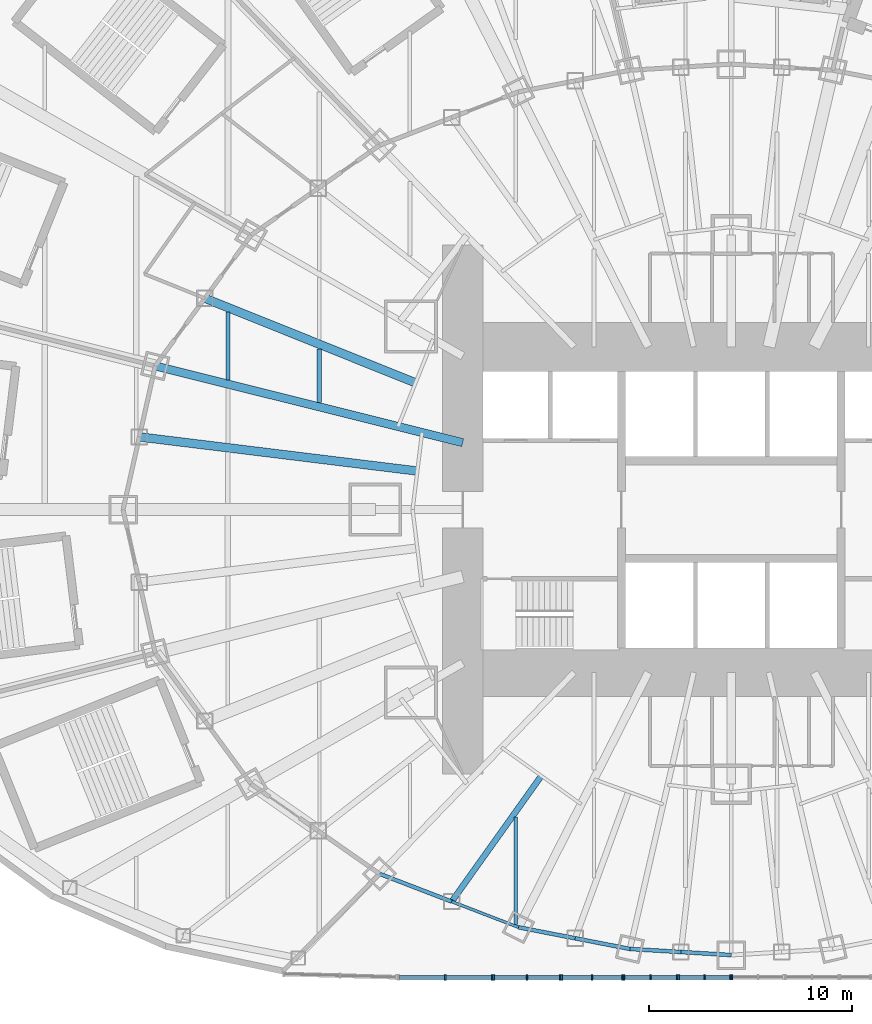
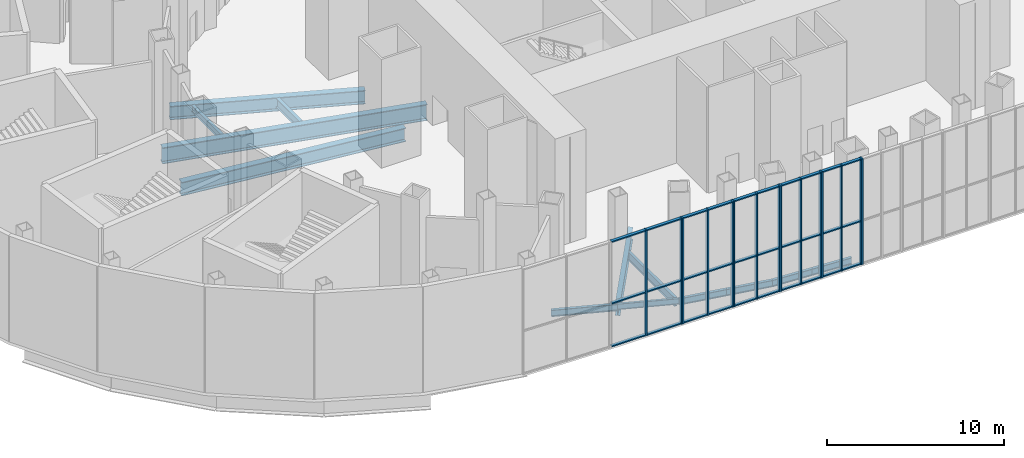
# One storey, part 3 of 73: 45 members, 13 beams, 6 elements without a shape of their own.
"""IFC4 building model written with IfcOpenShell, lengths in metres."""

from ifc_helpers import new_model, si_unit, direction, frame, origin, origin_2d, place, context, subcontext, project, spatial, rectangle, i_section, extrude, material, material_profile, profile_set, type_object, element, aggregate, save


model = new_model("IFC4")

# Units and contexts
model_context = context("Model", 3, precision=1e-05, world=origin(), true_north=direction((0.0, 1.0)))
body_context = subcontext(model_context, "Body", "Model", "MODEL_VIEW")
ifc_project = project(units=[si_unit("LENGTHUNIT", "METRE"), si_unit("AREAUNIT", "SQUARE_METRE"), si_unit("VOLUMEUNIT", "CUBIC_METRE"), si_unit("PLANEANGLEUNIT", "RADIAN"), si_unit("MASSUNIT", "GRAM", prefix="KILO")], contexts=[model_context])

# Site, building, storey
site_placement = place(None, origin())
site = spatial("IfcSite", under=ifc_project, at=site_placement, CompositionType="ELEMENT")
building_placement = place(site_placement, origin())
building = spatial("IfcBuilding", under=site, at=building_placement, Name="Lantaw Convention Tower", CompositionType="ELEMENT")
storey_placement = place(building_placement, frame((0.0, 0.0, 14.5)))
storey = spatial("IfcBuildingStorey", under=building, at=storey_placement, Name="L02", CompositionType="ELEMENT", Elevation=14.5)

# Beams
ifc_material_1 = material(Name="Steel ASTM A992", Category="steel")
ifc_material_profile_1 = material_profile(ifc_material_1, i_section(OverallWidth=0.140380859375, OverallDepth=0.40380859375, WebThickness=0.007080078125, FlangeThickness=0.01123046875, FilletRadius=0.01025390625, at=origin_2d()), Name="W16X31")
ifc_profile_set_1 = profile_set([ifc_material_profile_1], Name="Steel ASTM A992")
beam_type_1 = type_object("IfcBeamType", Name="Beam E W16X31", PredefinedType="SPANDREL", material=ifc_profile_set_1)
beam_1_placement = place(storey_placement, frame((-13.745361328125, -19.270263671875, -0.40185546875), z_axis=(0.933241815012, -0.359248820058, 0.0), x_axis=(0.359248820058, 0.933241815012, 0.0)))
element("IfcBeam", 1, at=beam_1_placement, inside=storey, type_object=beam_type_1, Name="Edge beam 16", PredefinedType="SPANDREL", context=body_context, shape_type="SweptSolid", body=[
    extrude(i_section(OverallWidth=0.140380859375, OverallDepth=0.40380859375, WebThickness=0.007080078125, FlangeThickness=0.01123046875, FilletRadius=0.01025390625, at=origin_2d()), origin(), (0.0, 0.0, 1.0), 3.517578125),
])
ifc_material_profile_2 = material_profile(ifc_material_1, i_section(OverallWidth=0.1904296875, OverallDepth=0.457275390625, WebThickness=0.009033203125, FlangeThickness=0.014404296875, FilletRadius=0.01025390625, at=origin_2d()), Name="W18X50")
ifc_profile_set_2 = profile_set([ifc_material_profile_2], Name="Steel ASTM A992")
beam_type_2 = type_object("IfcBeamType", Name="Beam E W18X50", PredefinedType="SPANDREL", material=ifc_profile_set_2)
beam_2_placement = place(storey_placement, frame((-17.290771484375, -17.9052734375, -0.4287109375), z_axis=(0.933224646415, -0.359293416754, 0.0), x_axis=(0.359293416754, 0.933224646415, 0.0)))
element("IfcBeam", 2, at=beam_2_placement, inside=storey, type_object=beam_type_2, Name="Edge beam 16", PredefinedType="SPANDREL", context=body_context, shape_type="SweptSolid", body=[
    extrude(i_section(OverallWidth=0.1904296875, OverallDepth=0.457275390625, WebThickness=0.009033203125, FlangeThickness=0.014404296875, FilletRadius=0.01025390625, at=origin_2d()), origin(), (0.0, 0.0, 1.0), 3.799072265625),
])
beam_3_placement = place(storey_placement, frame((-10.462646484375, -20.533935546875, -0.4287109375), z_axis=(0.98163593748, -0.190763954266, 0.0), x_axis=(0.190763954266, 0.98163593748, 0.0)))
element("IfcBeam", 3, at=beam_3_placement, inside=storey, type_object=beam_type_2, Name="Edge beam 17", PredefinedType="SPANDREL", context=body_context, shape_type="SweptSolid", body=[
    extrude(i_section(OverallWidth=0.1904296875, OverallDepth=0.457275390625, WebThickness=0.009033203125, FlangeThickness=0.014404296875, FilletRadius=0.01025390625, at=origin_2d()), origin(), (0.0, 0.0, 1.0), 2.84375),
])
beam_4_placement = place(storey_placement, frame((-7.671142578125, -21.076416015625, -0.4287109375), z_axis=(0.981637218105, -0.190757364289, 0.0), x_axis=(0.190757364289, 0.981637218105, 0.0)))
element("IfcBeam", 4, at=beam_4_placement, inside=storey, type_object=beam_type_2, Name="Edge beam 17", PredefinedType="SPANDREL", context=body_context, shape_type="SweptSolid", body=[
    extrude(i_section(OverallWidth=0.1904296875, OverallDepth=0.457275390625, WebThickness=0.009033203125, FlangeThickness=0.014404296875, FilletRadius=0.01025390625, at=origin_2d()), origin(), (0.0, 0.0, 1.0), 2.735107421875),
])
beam_5_placement = place(storey_placement, frame((-4.986328125, -21.59814453125, -0.4287109375), z_axis=(0.998172405641, -0.060430527186, 0.0), x_axis=(0.060430527186, 0.998172405641, 0.0)))
element("IfcBeam", 5, at=beam_5_placement, inside=storey, type_object=beam_type_2, Name="Edge beam 18", PredefinedType="SPANDREL", context=body_context, shape_type="SweptSolid", body=[
    extrude(i_section(OverallWidth=0.1904296875, OverallDepth=0.457275390625, WebThickness=0.009033203125, FlangeThickness=0.014404296875, FilletRadius=0.01025390625, at=origin_2d()), origin(), (0.0, 0.0, 1.0), 2.512939453125),
])
beam_6_placement = place(storey_placement, frame((-2.47802734375, -21.75, -0.4287109375), z_axis=(0.998175328335, -0.060382231685, 0.0), x_axis=(0.060382231685, 0.998175328335, 0.0)))
element("IfcBeam", 6, at=beam_6_placement, inside=storey, type_object=beam_type_2, Name="Edge beam 18", PredefinedType="SPANDREL", context=body_context, shape_type="SweptSolid", body=[
    extrude(i_section(OverallWidth=0.1904296875, OverallDepth=0.457275390625, WebThickness=0.009033203125, FlangeThickness=0.014404296875, FilletRadius=0.01025390625, at=origin_2d()), origin(), (0.0, 0.0, 1.0), 2.482666015625),
])
ifc_material_profile_3 = material_profile(ifc_material_1, i_section(OverallWidth=0.2919921875, OverallDepth=0.845703125, WebThickness=0.015380859375, FlangeThickness=0.0244140625, FilletRadius=0.01513671875, at=origin_2d()), Name="W33X141")
ifc_profile_set_3 = profile_set([ifc_material_profile_3], Name="Steel ASTM A992")
beam_type_3 = type_object("IfcBeamType", Name="Beam G W33X141", PredefinedType="BEAM", material=ifc_profile_set_3)
beam_7_placement = place(storey_placement, frame((-9.335693359375, -13.088134765625, -0.622802734375), z_axis=(-0.580702805158, -0.814115625745, 0.0), x_axis=(0.814115625745, -0.580702805158, 0.0)))
element("IfcBeam", 7, at=beam_7_placement, inside=storey, type_object=beam_type_3, Name="Floor girder on bisector 16", PredefinedType="BEAM", context=body_context, shape_type="SweptSolid", body=[
    extrude(i_section(OverallWidth=0.2919921875, OverallDepth=0.845703125, WebThickness=0.015380859375, FlangeThickness=0.0244140625, FilletRadius=0.01513671875, at=origin_2d()), origin(), (0.0, 0.0, 1.0), 7.59375),
])
ifc_material_profile_4 = material_profile(ifc_material_1, i_section(OverallWidth=0.421630859375, OverallDepth=0.937255859375, WebThickness=0.0224609375, FlangeThickness=0.039794921875, FilletRadius=0.02001953125, at=origin_2d()), Name="W36X282")
ifc_profile_set_4 = profile_set([ifc_material_profile_4], Name="Steel ASTM A992")
beam_type_4 = type_object("IfcBeamType", Name="Beam G W36X282", PredefinedType="BEAM", material=ifc_profile_set_4)
beam_8_placement = place(storey_placement, frame((-15.52001953125, 6.23046875, -0.668701171875), z_axis=(-0.928018900171, 0.372533113864, 0.0), x_axis=(-0.372533113864, -0.928018900171, 0.0)))
element("IfcBeam", 8, at=beam_8_placement, inside=storey, type_object=beam_type_4, Name="Floor girder on bisector 11", PredefinedType="BEAM", context=body_context, shape_type="SweptSolid", body=[
    extrude(i_section(OverallWidth=0.421630859375, OverallDepth=0.937255859375, WebThickness=0.0224609375, FlangeThickness=0.039794921875, FilletRadius=0.02001953125, at=origin_2d()), origin(), (0.0, 0.0, 1.0), 11.161376953125),
])
beam_9_placement = place(storey_placement, frame((-15.433349609375, 1.89501953125, -0.668701171875), z_axis=(-0.99254612715, 0.121869542874, 0.0), x_axis=(-0.121869542874, -0.99254612715, 0.0)))
element("IfcBeam", 9, at=beam_9_placement, inside=storey, type_object=beam_type_4, Name="Floor girder on bisector 12", PredefinedType="BEAM", context=body_context, shape_type="SweptSolid", body=[
    extrude(i_section(OverallWidth=0.421630859375, OverallDepth=0.937255859375, WebThickness=0.0224609375, FlangeThickness=0.039794921875, FilletRadius=0.02001953125, at=origin_2d()), origin(), (0.0, 0.0, 1.0), 13.7685546875),
])
ifc_material_profile_5 = material_profile(ifc_material_1, i_section(OverallWidth=0.40380859375, OverallDepth=1.11767578125, WebThickness=0.026123046875, FlangeThickness=0.044921875, FilletRadius=0.02001953125, at=origin_2d()), Name="W44X335")
ifc_profile_set_5 = profile_set([ifc_material_profile_5], Name="Steel ASTM A992")
beam_type_5 = type_object("IfcBeamType", Name="Beam G W44X335", PredefinedType="BEAM", material=ifc_profile_set_5)
beam_10_placement = place(storey_placement, frame((-13.199951171875, 3.291015625, -0.7587890625), z_axis=(-0.970296233567, 0.241919860957, 0.0), x_axis=(-0.241919860957, -0.970296233567, 0.0)))
element("IfcBeam", 10, at=beam_10_placement, inside=storey, type_object=beam_type_5, Name="Floor girder on ray 12", PredefinedType="BEAM", context=body_context, shape_type="SweptSolid", body=[
    extrude(i_section(OverallWidth=0.40380859375, OverallDepth=1.11767578125, WebThickness=0.026123046875, FlangeThickness=0.044921875, FilletRadius=0.02001953125, at=origin_2d()), origin(), (0.0, 0.0, 1.0), 15.580810546875),
])
ifc_material_profile_6 = material_profile(ifc_material_1, i_section(OverallWidth=0.1904296875, OverallDepth=0.457275390625, WebThickness=0.009033203125, FlangeThickness=0.014404296875, FilletRadius=0.01025390625, at=origin_2d()), Name="W18X50")
ifc_profile_set_6 = profile_set([ifc_material_profile_6], Name="Steel ASTM A992")
beam_type_6 = type_object("IfcBeamType", Name="Beam J W18X50", PredefinedType="JOIST", material=ifc_profile_set_6)
beam_11_placement = place(storey_placement, frame((-24.75, 6.37890625, -0.4287109375), z_axis=(0.0, 1.0, 0.0), x_axis=(-1.0, 0.0, 0.0)))
element("IfcBeam", 11, at=beam_11_placement, inside=storey, type_object=beam_type_6, Name="Floor joist", PredefinedType="JOIST", context=body_context, shape_type="SweptSolid", body=[
    extrude(i_section(OverallWidth=0.1904296875, OverallDepth=0.457275390625, WebThickness=0.009033203125, FlangeThickness=0.014404296875, FilletRadius=0.01025390625, at=origin_2d()), origin(), (0.0, 0.0, 1.0), 3.32958984375),
])
ifc_material_profile_7 = material_profile(ifc_material_1, i_section(OverallWidth=0.177978515625, OverallDepth=0.599365234375, WebThickness=0.010009765625, FlangeThickness=0.012939453125, FilletRadius=0.012939453125, at=origin_2d()), Name="W24X55")
ifc_profile_set_7 = profile_set([ifc_material_profile_7], Name="Steel ASTM A992")
beam_type_7 = type_object("IfcBeamType", Name="Beam J W24X55", PredefinedType="JOIST", material=ifc_profile_set_7)
beam_12_placement = place(storey_placement, frame((-10.60009765625, -20.40576171875, -0.499755859375), z_axis=(0.0, 1.0, 0.0), x_axis=(-1.0, 0.0, 0.0)))
element("IfcBeam", 12, at=beam_12_placement, inside=storey, type_object=beam_type_7, Name="Floor joist", PredefinedType="JOIST", context=body_context, shape_type="SweptSolid", body=[
    extrude(i_section(OverallWidth=0.177978515625, OverallDepth=0.599365234375, WebThickness=0.010009765625, FlangeThickness=0.012939453125, FilletRadius=0.012939453125, at=origin_2d()), origin(), (0.0, 0.0, 1.0), 5.293701171875),
])
ifc_material_profile_8 = material_profile(ifc_material_1, i_section(OverallWidth=0.227783203125, OverallDepth=0.60205078125, WebThickness=0.010498046875, FlangeThickness=0.014892578125, FilletRadius=0.012939453125, at=origin_2d()), Name="W24X68")
ifc_profile_set_8 = profile_set([ifc_material_profile_8], Name="Steel ASTM A992")
beam_type_8 = type_object("IfcBeamType", Name="Beam J W24X68", PredefinedType="JOIST", material=ifc_profile_set_8)
beam_13_placement = place(storey_placement, frame((-20.25, 5.257080078125, -0.5009765625), z_axis=(0.0, 1.0, 0.0), x_axis=(-1.0, 0.0, 0.0)))
element("IfcBeam", 13, at=beam_13_placement, inside=storey, type_object=beam_type_8, Name="Floor joist", PredefinedType="JOIST", context=body_context, shape_type="SweptSolid", body=[
    extrude(i_section(OverallWidth=0.227783203125, OverallDepth=0.60205078125, WebThickness=0.010498046875, FlangeThickness=0.014892578125, FilletRadius=0.012939453125, at=origin_2d()), origin(), (0.0, 0.0, 1.0), 2.64501953125),
])

# Curtain wall, members
ifc_material_2 = material(Name="Aluminium framed curtain wall", Category="aluminium")
curtain_wall_type = type_object("IfcCurtainWallType", Name="Podium storefront curtain wall, pale aluminium", PredefinedType="USERDEFINED", material=ifc_material_2)
curtain_wall_1_placement = place(storey_placement, origin())
curtain_wall_1 = element("IfcCurtainWall", 14, at=curtain_wall_1_placement, inside=storey, type_object=curtain_wall_type, Name="Podium storefront curtain wall, pale aluminium L02", ObjectType="STOREFRONT", PredefinedType="USERDEFINED")
ifc_material_3 = material(Name="Aluminium 6063-T6", Category="aluminium")
ifc_material_profile_9 = material_profile(ifc_material_3, rectangle(XDim=0.25, YDim=0.080078125, at=origin_2d()), Name="CW-P mullion 80x250")
ifc_profile_set_9 = profile_set([ifc_material_profile_9], Name="Aluminium 6063-T6")
member_type_1 = type_object("IfcMemberType", Name="CW-P mullion 80x250", PredefinedType="MULLION", material=ifc_profile_set_9)
member_1_placement = place(storey_placement, frame((-14.0625, -23.0, 0.0), z_axis=(0.0, 0.0, 1.0), x_axis=(0.0, 1.0, 0.0)))
member_1 = element("IfcMember", 15, at=member_1_placement, type_object=member_type_1, Name="CW-P mullion 2", PredefinedType="MULLION", context=body_context, shape_type="SweptSolid", body=[
    extrude(rectangle(XDim=0.25, YDim=0.080078125, at=origin_2d()), origin(), (0.0, 0.0, 1.0), 7.300048828125),
])
member_2_placement = place(storey_placement, frame((-11.759033203125, -23.0, 0.0), z_axis=(0.0, 0.0, 1.0), x_axis=(0.0, 1.0, 0.0)))
member_2 = element("IfcMember", 16, at=member_2_placement, type_object=member_type_1, Name="CW-P mullion 3", PredefinedType="MULLION", context=body_context, shape_type="SweptSolid", body=[
    extrude(rectangle(XDim=0.25, YDim=0.080078125, at=origin_2d()), origin(), (0.0, 0.0, 1.0), 7.300048828125),
])

curtain_wall_2_placement = place(storey_placement, origin())
curtain_wall_2 = element("IfcCurtainWall", 17, at=curtain_wall_2_placement, inside=storey, type_object=curtain_wall_type, Name="Podium storefront curtain wall, pale aluminium L02", ObjectType="STOREFRONT", PredefinedType="USERDEFINED")
member_3_placement = place(storey_placement, frame((-11.67919921875, -23.0, 0.0), z_axis=(0.0, 0.0, 1.0), x_axis=(0.0, 1.0, 0.0)))
member_3 = element("IfcMember", 18, at=member_3_placement, type_object=member_type_1, Name="CW-P mullion 1", PredefinedType="MULLION", context=body_context, shape_type="SweptSolid", body=[
    extrude(rectangle(XDim=0.25, YDim=0.080078125, at=origin_2d()), origin(), (0.0, 0.0, 1.0), 7.300048828125),
])
member_4_placement = place(storey_placement, frame((-10.045166015625, -23.0, 0.0), z_axis=(0.0, 0.0, 1.0), x_axis=(0.0, 1.0, 0.0)))
member_4 = element("IfcMember", 19, at=member_4_placement, type_object=member_type_1, Name="CW-P mullion 2", PredefinedType="MULLION", context=body_context, shape_type="SweptSolid", body=[
    extrude(rectangle(XDim=0.25, YDim=0.080078125, at=origin_2d()), origin(), (0.0, 0.0, 1.0), 7.300048828125),
])
member_5_placement = place(storey_placement, frame((-8.411376953125, -23.0, 0.0), z_axis=(0.0, 0.0, 1.0), x_axis=(0.0, 1.0, 0.0)))
member_5 = element("IfcMember", 20, at=member_5_placement, type_object=member_type_1, Name="CW-P mullion 3", PredefinedType="MULLION", context=body_context, shape_type="SweptSolid", body=[
    extrude(rectangle(XDim=0.25, YDim=0.080078125, at=origin_2d()), origin(), (0.0, 0.0, 1.0), 7.300048828125),
])

curtain_wall_3_placement = place(storey_placement, origin())
curtain_wall_3 = element("IfcCurtainWall", 21, at=curtain_wall_3_placement, inside=storey, type_object=curtain_wall_type, Name="Podium storefront curtain wall, pale aluminium L02", ObjectType="STOREFRONT", PredefinedType="USERDEFINED")
member_6_placement = place(storey_placement, frame((-8.331298828125, -23.0, 0.0), z_axis=(0.0, 0.0, 1.0), x_axis=(0.0, 1.0, 0.0)))
member_6 = element("IfcMember", 22, at=member_6_placement, type_object=member_type_1, Name="CW-P mullion 1", PredefinedType="MULLION", context=body_context, shape_type="SweptSolid", body=[
    extrude(rectangle(XDim=0.25, YDim=0.080078125, at=origin_2d()), origin(), (0.0, 0.0, 1.0), 7.300048828125),
])
member_7_placement = place(storey_placement, frame((-6.840576171875, -23.0, 0.0), z_axis=(0.0, 0.0, 1.0), x_axis=(0.0, 1.0, 0.0)))
member_7 = element("IfcMember", 23, at=member_7_placement, type_object=member_type_1, Name="CW-P mullion 2", PredefinedType="MULLION", context=body_context, shape_type="SweptSolid", body=[
    extrude(rectangle(XDim=0.25, YDim=0.080078125, at=origin_2d()), origin(), (0.0, 0.0, 1.0), 7.300048828125),
])
member_8_placement = place(storey_placement, frame((-5.349853515625, -23.0, 0.0), z_axis=(0.0, 0.0, 1.0), x_axis=(0.0, 1.0, 0.0)))
member_8 = element("IfcMember", 24, at=member_8_placement, type_object=member_type_1, Name="CW-P mullion 3", PredefinedType="MULLION", context=body_context, shape_type="SweptSolid", body=[
    extrude(rectangle(XDim=0.25, YDim=0.080078125, at=origin_2d()), origin(), (0.0, 0.0, 1.0), 7.300048828125),
])

curtain_wall_4_placement = place(storey_placement, origin())
curtain_wall_4 = element("IfcCurtainWall", 25, at=curtain_wall_4_placement, inside=storey, type_object=curtain_wall_type, Name="Podium storefront curtain wall, pale aluminium L02", ObjectType="STOREFRONT", PredefinedType="USERDEFINED")
member_9_placement = place(storey_placement, frame((-5.27001953125, -23.0, 0.0), z_axis=(0.0, 0.0, 1.0), x_axis=(0.0, 1.0, 0.0)))
member_9 = element("IfcMember", 26, at=member_9_placement, type_object=member_type_1, Name="CW-P mullion 1", PredefinedType="MULLION", context=body_context, shape_type="SweptSolid", body=[
    extrude(rectangle(XDim=0.25, YDim=0.080078125, at=origin_2d()), origin(), (0.0, 0.0, 1.0), 7.300048828125),
])
member_10_placement = place(storey_placement, frame((-3.96533203125, -23.0, 0.0), z_axis=(0.0, 0.0, 1.0), x_axis=(0.0, 1.0, 0.0)))
member_10 = element("IfcMember", 27, at=member_10_placement, type_object=member_type_1, Name="CW-P mullion 2", PredefinedType="MULLION", context=body_context, shape_type="SweptSolid", body=[
    extrude(rectangle(XDim=0.25, YDim=0.080078125, at=origin_2d()), origin(), (0.0, 0.0, 1.0), 7.300048828125),
])
member_11_placement = place(storey_placement, frame((-2.660400390625, -23.0, 0.0), z_axis=(0.0, 0.0, 1.0), x_axis=(0.0, 1.0, 0.0)))
member_11 = element("IfcMember", 28, at=member_11_placement, type_object=member_type_1, Name="CW-P mullion 3", PredefinedType="MULLION", context=body_context, shape_type="SweptSolid", body=[
    extrude(rectangle(XDim=0.25, YDim=0.080078125, at=origin_2d()), origin(), (0.0, 0.0, 1.0), 7.300048828125),
])

curtain_wall_5_placement = place(storey_placement, origin())
curtain_wall_5 = element("IfcCurtainWall", 29, at=curtain_wall_5_placement, inside=storey, type_object=curtain_wall_type, Name="Podium storefront curtain wall, pale aluminium L02", ObjectType="STOREFRONT", PredefinedType="USERDEFINED")
member_12_placement = place(storey_placement, frame((-2.58056640625, -23.0, 0.0), z_axis=(0.0, 0.0, 1.0), x_axis=(0.0, 1.0, 0.0)))
member_12 = element("IfcMember", 30, at=member_12_placement, type_object=member_type_1, Name="CW-P mullion 1", PredefinedType="MULLION", context=body_context, shape_type="SweptSolid", body=[
    extrude(rectangle(XDim=0.25, YDim=0.080078125, at=origin_2d()), origin(), (0.0, 0.0, 1.0), 7.300048828125),
])
member_13_placement = place(storey_placement, frame((-1.310302734375, -23.0, 0.0), z_axis=(0.0, 0.0, 1.0), x_axis=(0.0, 1.0, 0.0)))
member_13 = element("IfcMember", 31, at=member_13_placement, type_object=member_type_1, Name="CW-P mullion 2", PredefinedType="MULLION", context=body_context, shape_type="SweptSolid", body=[
    extrude(rectangle(XDim=0.25, YDim=0.080078125, at=origin_2d()), origin(), (0.0, 0.0, 1.0), 7.300048828125),
])
member_14_placement = place(storey_placement, frame((-0.0400390625, -23.0, 0.0), z_axis=(0.0, 0.0, 1.0), x_axis=(0.0, 1.0, 0.0)))
member_14 = element("IfcMember", 32, at=member_14_placement, type_object=member_type_1, Name="CW-P mullion 3", PredefinedType="MULLION", context=body_context, shape_type="SweptSolid", body=[
    extrude(rectangle(XDim=0.25, YDim=0.080078125, at=origin_2d()), origin(), (0.0, 0.0, 1.0), 7.300048828125),
])

# Curtain wall, member
curtain_wall_6_placement = place(storey_placement, origin())
curtain_wall_6 = element("IfcCurtainWall", 33, at=curtain_wall_6_placement, inside=storey, type_object=curtain_wall_type, Name="Podium storefront curtain wall, pale aluminium L02", ObjectType="STOREFRONT", PredefinedType="USERDEFINED")
member_15_placement = place(storey_placement, frame((0.0400390625, -23.0, 0.0), z_axis=(0.0, 0.0, 1.0), x_axis=(0.0, 1.0, 0.0)))
member_15 = element("IfcMember", 34, at=member_15_placement, type_object=member_type_1, Name="CW-P mullion 1", PredefinedType="MULLION", context=body_context, shape_type="SweptSolid", body=[
    extrude(rectangle(XDim=0.25, YDim=0.080078125, at=origin_2d()), origin(), (0.0, 0.0, 1.0), 7.300048828125),
])
aggregate(curtain_wall_6, [member_15])

# Member
ifc_material_profile_10 = material_profile(ifc_material_3, rectangle(XDim=0.199951171875, YDim=0.080078125, at=origin_2d()), Name="CW-P transom 80x200")
ifc_profile_set_10 = profile_set([ifc_material_profile_10], Name="Aluminium 6063-T6")
member_type_2 = type_object("IfcMemberType", Name="CW-P transom 80x200", PredefinedType="USERDEFINED", material=ifc_profile_set_10)
member_16_placement = place(storey_placement, frame((-16.32568359375, -23.0, 0.0400390625), z_axis=(1.0, 0.0, 0.0), x_axis=(0.0, 1.0, 0.0)))
member_16 = element("IfcMember", 35, at=member_16_placement, type_object=member_type_2, Name="CW-P transom 1.1", ObjectType="TRANSOM", PredefinedType="USERDEFINED", context=body_context, shape_type="SweptSolid", body=[
    extrude(rectangle(XDim=0.199951171875, YDim=0.080078125, at=origin_2d()), origin(), (0.0, 0.0, 1.0), 2.223388671875),
])

member_17_placement = place(storey_placement, frame((-16.32568359375, -23.0, 3.0), z_axis=(1.0, 0.0, 0.0), x_axis=(0.0, 1.0, 0.0)))
member_17 = element("IfcMember", 36, at=member_17_placement, type_object=member_type_2, Name="CW-P transom 1.2", ObjectType="TRANSOM", PredefinedType="USERDEFINED", context=body_context, shape_type="SweptSolid", body=[
    extrude(rectangle(XDim=0.199951171875, YDim=0.080078125, at=origin_2d()), origin(), (0.0, 0.0, 1.0), 2.223388671875),
])

member_18_placement = place(storey_placement, frame((-16.32568359375, -23.0, 7.260009765625), z_axis=(1.0, 0.0, 0.0), x_axis=(0.0, 1.0, 0.0)))
member_18 = element("IfcMember", 37, at=member_18_placement, type_object=member_type_2, Name="CW-P transom 1.3", ObjectType="TRANSOM", PredefinedType="USERDEFINED", context=body_context, shape_type="SweptSolid", body=[
    extrude(rectangle(XDim=0.199951171875, YDim=0.080078125, at=origin_2d()), origin(), (0.0, 0.0, 1.0), 2.223388671875),
])

member_19_placement = place(storey_placement, frame((-14.0224609375, -23.0, 0.0400390625), z_axis=(1.0, 0.0, 0.0), x_axis=(0.0, 1.0, 0.0)))
member_19 = element("IfcMember", 38, at=member_19_placement, type_object=member_type_2, Name="CW-P transom 2.1", ObjectType="TRANSOM", PredefinedType="USERDEFINED", context=body_context, shape_type="SweptSolid", body=[
    extrude(rectangle(XDim=0.199951171875, YDim=0.080078125, at=origin_2d()), origin(), (0.0, 0.0, 1.0), 2.223388671875),
])

member_20_placement = place(storey_placement, frame((-14.0224609375, -23.0, 3.0), z_axis=(1.0, 0.0, 0.0), x_axis=(0.0, 1.0, 0.0)))
member_20 = element("IfcMember", 39, at=member_20_placement, type_object=member_type_2, Name="CW-P transom 2.2", ObjectType="TRANSOM", PredefinedType="USERDEFINED", context=body_context, shape_type="SweptSolid", body=[
    extrude(rectangle(XDim=0.199951171875, YDim=0.080078125, at=origin_2d()), origin(), (0.0, 0.0, 1.0), 2.223388671875),
])

member_21_placement = place(storey_placement, frame((-14.0224609375, -23.0, 7.260009765625), z_axis=(1.0, 0.0, 0.0), x_axis=(0.0, 1.0, 0.0)))
member_21 = element("IfcMember", 40, at=member_21_placement, type_object=member_type_2, Name="CW-P transom 2.3", ObjectType="TRANSOM", PredefinedType="USERDEFINED", context=body_context, shape_type="SweptSolid", body=[
    extrude(rectangle(XDim=0.199951171875, YDim=0.080078125, at=origin_2d()), origin(), (0.0, 0.0, 1.0), 2.223388671875),
])

aggregate(curtain_wall_1, [member_1, member_2, member_16, member_17, member_18, member_19, member_20, member_21])

member_22_placement = place(storey_placement, frame((-11.63916015625, -23.0, 0.0400390625), z_axis=(1.0, 0.0, 0.0), x_axis=(0.0, 1.0, 0.0)))
member_22 = element("IfcMember", 41, at=member_22_placement, type_object=member_type_2, Name="CW-P transom 1.1", ObjectType="TRANSOM", PredefinedType="USERDEFINED", context=body_context, shape_type="SweptSolid", body=[
    extrude(rectangle(XDim=0.199951171875, YDim=0.080078125, at=origin_2d()), origin(), (0.0, 0.0, 1.0), 1.553955078125),
])

member_23_placement = place(storey_placement, frame((-11.63916015625, -23.0, 3.0), z_axis=(1.0, 0.0, 0.0), x_axis=(0.0, 1.0, 0.0)))
member_23 = element("IfcMember", 42, at=member_23_placement, type_object=member_type_2, Name="CW-P transom 1.2", ObjectType="TRANSOM", PredefinedType="USERDEFINED", context=body_context, shape_type="SweptSolid", body=[
    extrude(rectangle(XDim=0.199951171875, YDim=0.080078125, at=origin_2d()), origin(), (0.0, 0.0, 1.0), 1.553955078125),
])

member_24_placement = place(storey_placement, frame((-11.63916015625, -23.0, 7.260009765625), z_axis=(1.0, 0.0, 0.0), x_axis=(0.0, 1.0, 0.0)))
member_24 = element("IfcMember", 43, at=member_24_placement, type_object=member_type_2, Name="CW-P transom 1.3", ObjectType="TRANSOM", PredefinedType="USERDEFINED", context=body_context, shape_type="SweptSolid", body=[
    extrude(rectangle(XDim=0.199951171875, YDim=0.080078125, at=origin_2d()), origin(), (0.0, 0.0, 1.0), 1.553955078125),
])

member_25_placement = place(storey_placement, frame((-10.005126953125, -23.0, 0.0400390625), z_axis=(1.0, 0.0, 0.0), x_axis=(0.0, 1.0, 0.0)))
member_25 = element("IfcMember", 44, at=member_25_placement, type_object=member_type_2, Name="CW-P transom 2.1", ObjectType="TRANSOM", PredefinedType="USERDEFINED", context=body_context, shape_type="SweptSolid", body=[
    extrude(rectangle(XDim=0.199951171875, YDim=0.080078125, at=origin_2d()), origin(), (0.0, 0.0, 1.0), 1.5537109375),
])

member_26_placement = place(storey_placement, frame((-10.005126953125, -23.0, 3.0), z_axis=(1.0, 0.0, 0.0), x_axis=(0.0, 1.0, 0.0)))
member_26 = element("IfcMember", 45, at=member_26_placement, type_object=member_type_2, Name="CW-P transom 2.2", ObjectType="TRANSOM", PredefinedType="USERDEFINED", context=body_context, shape_type="SweptSolid", body=[
    extrude(rectangle(XDim=0.199951171875, YDim=0.080078125, at=origin_2d()), origin(), (0.0, 0.0, 1.0), 1.5537109375),
])

member_27_placement = place(storey_placement, frame((-10.005126953125, -23.0, 7.260009765625), z_axis=(1.0, 0.0, 0.0), x_axis=(0.0, 1.0, 0.0)))
member_27 = element("IfcMember", 46, at=member_27_placement, type_object=member_type_2, Name="CW-P transom 2.3", ObjectType="TRANSOM", PredefinedType="USERDEFINED", context=body_context, shape_type="SweptSolid", body=[
    extrude(rectangle(XDim=0.199951171875, YDim=0.080078125, at=origin_2d()), origin(), (0.0, 0.0, 1.0), 1.5537109375),
])

aggregate(curtain_wall_2, [member_3, member_4, member_5, member_22, member_23, member_24, member_25, member_26, member_27])

member_28_placement = place(storey_placement, frame((-8.291259765625, -23.0, 0.0400390625), z_axis=(1.0, 0.0, 0.0), x_axis=(0.0, 1.0, 0.0)))
member_28 = element("IfcMember", 47, at=member_28_placement, type_object=member_type_2, Name="CW-P transom 1.1", ObjectType="TRANSOM", PredefinedType="USERDEFINED", context=body_context, shape_type="SweptSolid", body=[
    extrude(rectangle(XDim=0.199951171875, YDim=0.080078125, at=origin_2d()), origin(), (0.0, 0.0, 1.0), 1.41064453125),
])

member_29_placement = place(storey_placement, frame((-8.291259765625, -23.0, 3.0), z_axis=(1.0, 0.0, 0.0), x_axis=(0.0, 1.0, 0.0)))
member_29 = element("IfcMember", 48, at=member_29_placement, type_object=member_type_2, Name="CW-P transom 1.2", ObjectType="TRANSOM", PredefinedType="USERDEFINED", context=body_context, shape_type="SweptSolid", body=[
    extrude(rectangle(XDim=0.199951171875, YDim=0.080078125, at=origin_2d()), origin(), (0.0, 0.0, 1.0), 1.41064453125),
])

member_30_placement = place(storey_placement, frame((-8.291259765625, -23.0, 7.260009765625), z_axis=(1.0, 0.0, 0.0), x_axis=(0.0, 1.0, 0.0)))
member_30 = element("IfcMember", 49, at=member_30_placement, type_object=member_type_2, Name="CW-P transom 1.3", ObjectType="TRANSOM", PredefinedType="USERDEFINED", context=body_context, shape_type="SweptSolid", body=[
    extrude(rectangle(XDim=0.199951171875, YDim=0.080078125, at=origin_2d()), origin(), (0.0, 0.0, 1.0), 1.41064453125),
])

member_31_placement = place(storey_placement, frame((-6.800537109375, -23.0, 0.0400390625), z_axis=(1.0, 0.0, 0.0), x_axis=(0.0, 1.0, 0.0)))
member_31 = element("IfcMember", 50, at=member_31_placement, type_object=member_type_2, Name="CW-P transom 2.1", ObjectType="TRANSOM", PredefinedType="USERDEFINED", context=body_context, shape_type="SweptSolid", body=[
    extrude(rectangle(XDim=0.199951171875, YDim=0.080078125, at=origin_2d()), origin(), (0.0, 0.0, 1.0), 1.41064453125),
])

member_32_placement = place(storey_placement, frame((-6.800537109375, -23.0, 3.0), z_axis=(1.0, 0.0, 0.0), x_axis=(0.0, 1.0, 0.0)))
member_32 = element("IfcMember", 51, at=member_32_placement, type_object=member_type_2, Name="CW-P transom 2.2", ObjectType="TRANSOM", PredefinedType="USERDEFINED", context=body_context, shape_type="SweptSolid", body=[
    extrude(rectangle(XDim=0.199951171875, YDim=0.080078125, at=origin_2d()), origin(), (0.0, 0.0, 1.0), 1.41064453125),
])

member_33_placement = place(storey_placement, frame((-6.800537109375, -23.0, 7.260009765625), z_axis=(1.0, 0.0, 0.0), x_axis=(0.0, 1.0, 0.0)))
member_33 = element("IfcMember", 52, at=member_33_placement, type_object=member_type_2, Name="CW-P transom 2.3", ObjectType="TRANSOM", PredefinedType="USERDEFINED", context=body_context, shape_type="SweptSolid", body=[
    extrude(rectangle(XDim=0.199951171875, YDim=0.080078125, at=origin_2d()), origin(), (0.0, 0.0, 1.0), 1.41064453125),
])

aggregate(curtain_wall_3, [member_6, member_7, member_8, member_28, member_29, member_30, member_31, member_32, member_33])

member_34_placement = place(storey_placement, frame((-5.22998046875, -23.0, 0.0400390625), z_axis=(1.0, 0.0, 0.0), x_axis=(0.0, 1.0, 0.0)))
member_34 = element("IfcMember", 53, at=member_34_placement, type_object=member_type_2, Name="CW-P transom 1.1", ObjectType="TRANSOM", PredefinedType="USERDEFINED", context=body_context, shape_type="SweptSolid", body=[
    extrude(rectangle(XDim=0.199951171875, YDim=0.080078125, at=origin_2d()), origin(), (0.0, 0.0, 1.0), 1.224853515625),
])

member_35_placement = place(storey_placement, frame((-5.22998046875, -23.0, 3.0), z_axis=(1.0, 0.0, 0.0), x_axis=(0.0, 1.0, 0.0)))
member_35 = element("IfcMember", 54, at=member_35_placement, type_object=member_type_2, Name="CW-P transom 1.2", ObjectType="TRANSOM", PredefinedType="USERDEFINED", context=body_context, shape_type="SweptSolid", body=[
    extrude(rectangle(XDim=0.199951171875, YDim=0.080078125, at=origin_2d()), origin(), (0.0, 0.0, 1.0), 1.224853515625),
])

member_36_placement = place(storey_placement, frame((-5.22998046875, -23.0, 7.260009765625), z_axis=(1.0, 0.0, 0.0), x_axis=(0.0, 1.0, 0.0)))
member_36 = element("IfcMember", 55, at=member_36_placement, type_object=member_type_2, Name="CW-P transom 1.3", ObjectType="TRANSOM", PredefinedType="USERDEFINED", context=body_context, shape_type="SweptSolid", body=[
    extrude(rectangle(XDim=0.199951171875, YDim=0.080078125, at=origin_2d()), origin(), (0.0, 0.0, 1.0), 1.224853515625),
])

member_37_placement = place(storey_placement, frame((-3.92529296875, -23.0, 0.0400390625), z_axis=(1.0, 0.0, 0.0), x_axis=(0.0, 1.0, 0.0)))
member_37 = element("IfcMember", 56, at=member_37_placement, type_object=member_type_2, Name="CW-P transom 2.1", ObjectType="TRANSOM", PredefinedType="USERDEFINED", context=body_context, shape_type="SweptSolid", body=[
    extrude(rectangle(XDim=0.199951171875, YDim=0.080078125, at=origin_2d()), origin(), (0.0, 0.0, 1.0), 1.224853515625),
])

member_38_placement = place(storey_placement, frame((-3.92529296875, -23.0, 3.0), z_axis=(1.0, 0.0, 0.0), x_axis=(0.0, 1.0, 0.0)))
member_38 = element("IfcMember", 57, at=member_38_placement, type_object=member_type_2, Name="CW-P transom 2.2", ObjectType="TRANSOM", PredefinedType="USERDEFINED", context=body_context, shape_type="SweptSolid", body=[
    extrude(rectangle(XDim=0.199951171875, YDim=0.080078125, at=origin_2d()), origin(), (0.0, 0.0, 1.0), 1.224853515625),
])

member_39_placement = place(storey_placement, frame((-3.92529296875, -23.0, 7.260009765625), z_axis=(1.0, 0.0, 0.0), x_axis=(0.0, 1.0, 0.0)))
member_39 = element("IfcMember", 58, at=member_39_placement, type_object=member_type_2, Name="CW-P transom 2.3", ObjectType="TRANSOM", PredefinedType="USERDEFINED", context=body_context, shape_type="SweptSolid", body=[
    extrude(rectangle(XDim=0.199951171875, YDim=0.080078125, at=origin_2d()), origin(), (0.0, 0.0, 1.0), 1.224853515625),
])

aggregate(curtain_wall_4, [member_9, member_10, member_11, member_34, member_35, member_36, member_37, member_38, member_39])

member_40_placement = place(storey_placement, frame((-2.54052734375, -23.0, 0.0400390625), z_axis=(1.0, 0.0, 0.0), x_axis=(0.0, 1.0, 0.0)))
member_40 = element("IfcMember", 59, at=member_40_placement, type_object=member_type_2, Name="CW-P transom 1.1", ObjectType="TRANSOM", PredefinedType="USERDEFINED", context=body_context, shape_type="SweptSolid", body=[
    extrude(rectangle(XDim=0.199951171875, YDim=0.080078125, at=origin_2d()), origin(), (0.0, 0.0, 1.0), 1.190185546875),
])

member_41_placement = place(storey_placement, frame((-2.54052734375, -23.0, 3.0), z_axis=(1.0, 0.0, 0.0), x_axis=(0.0, 1.0, 0.0)))
member_41 = element("IfcMember", 60, at=member_41_placement, type_object=member_type_2, Name="CW-P transom 1.2", ObjectType="TRANSOM", PredefinedType="USERDEFINED", context=body_context, shape_type="SweptSolid", body=[
    extrude(rectangle(XDim=0.199951171875, YDim=0.080078125, at=origin_2d()), origin(), (0.0, 0.0, 1.0), 1.190185546875),
])

member_42_placement = place(storey_placement, frame((-2.54052734375, -23.0, 7.260009765625), z_axis=(1.0, 0.0, 0.0), x_axis=(0.0, 1.0, 0.0)))
member_42 = element("IfcMember", 61, at=member_42_placement, type_object=member_type_2, Name="CW-P transom 1.3", ObjectType="TRANSOM", PredefinedType="USERDEFINED", context=body_context, shape_type="SweptSolid", body=[
    extrude(rectangle(XDim=0.199951171875, YDim=0.080078125, at=origin_2d()), origin(), (0.0, 0.0, 1.0), 1.190185546875),
])

member_43_placement = place(storey_placement, frame((-1.270263671875, -23.0, 0.0400390625), z_axis=(1.0, 0.0, 0.0), x_axis=(0.0, 1.0, 0.0)))
member_43 = element("IfcMember", 62, at=member_43_placement, type_object=member_type_2, Name="CW-P transom 2.1", ObjectType="TRANSOM", PredefinedType="USERDEFINED", context=body_context, shape_type="SweptSolid", body=[
    extrude(rectangle(XDim=0.199951171875, YDim=0.080078125, at=origin_2d()), origin(), (0.0, 0.0, 1.0), 1.190185546875),
])

member_44_placement = place(storey_placement, frame((-1.270263671875, -23.0, 3.0), z_axis=(1.0, 0.0, 0.0), x_axis=(0.0, 1.0, 0.0)))
member_44 = element("IfcMember", 63, at=member_44_placement, type_object=member_type_2, Name="CW-P transom 2.2", ObjectType="TRANSOM", PredefinedType="USERDEFINED", context=body_context, shape_type="SweptSolid", body=[
    extrude(rectangle(XDim=0.199951171875, YDim=0.080078125, at=origin_2d()), origin(), (0.0, 0.0, 1.0), 1.190185546875),
])

member_45_placement = place(storey_placement, frame((-1.270263671875, -23.0, 7.260009765625), z_axis=(1.0, 0.0, 0.0), x_axis=(0.0, 1.0, 0.0)))
member_45 = element("IfcMember", 64, at=member_45_placement, type_object=member_type_2, Name="CW-P transom 2.3", ObjectType="TRANSOM", PredefinedType="USERDEFINED", context=body_context, shape_type="SweptSolid", body=[
    extrude(rectangle(XDim=0.199951171875, YDim=0.080078125, at=origin_2d()), origin(), (0.0, 0.0, 1.0), 1.190185546875),
])

aggregate(curtain_wall_5, [member_12, member_13, member_14, member_40, member_41, member_42, member_43, member_44, member_45])

save(model, "model.ifc")
